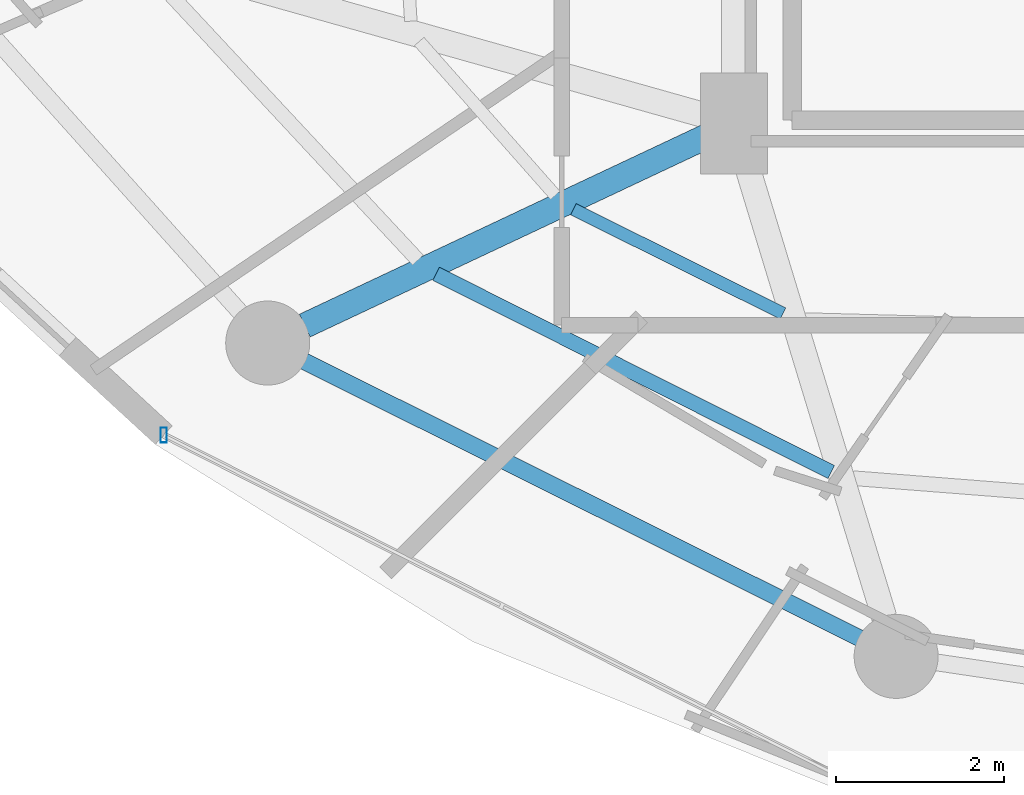
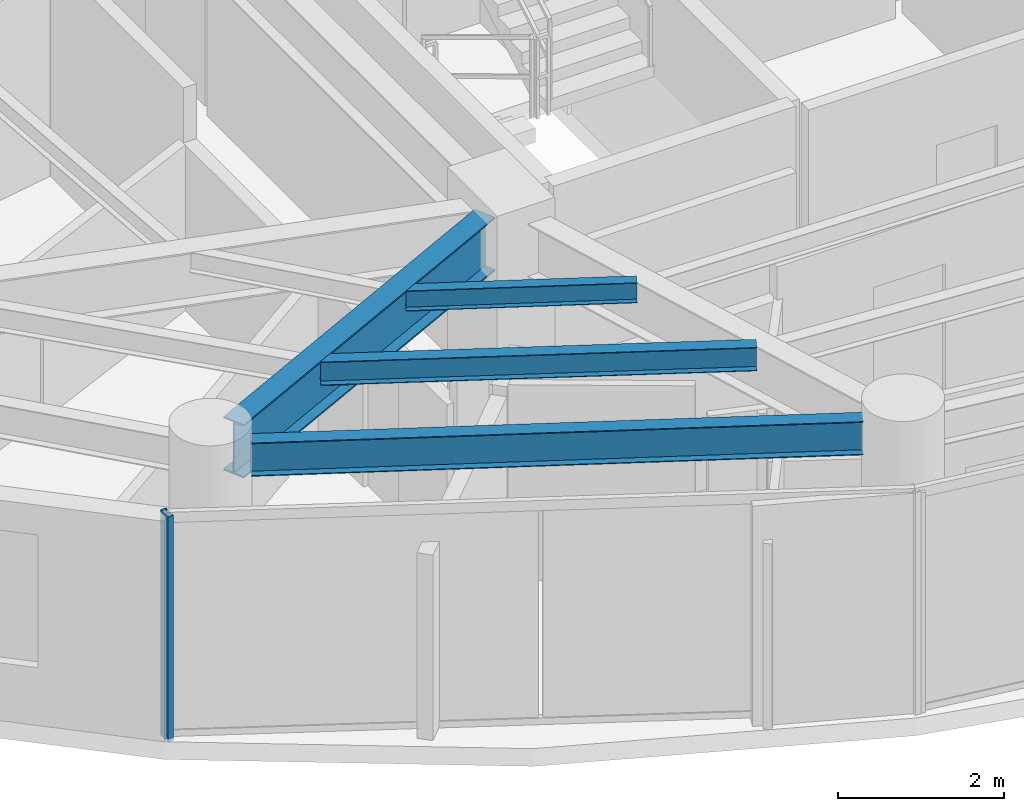
# One storey, part 2 of 31: 4 beams, 1 member, 1 element without a shape of its own.
"""IFC4 building model written with IfcOpenShell, lengths in metres."""

import ifcopenshell
import ifcopenshell.guid

model = None  # the IFC model being written
_history = None  # IfcOwnerHistory: only IFC2X3 demands one
_inside = {}  # id of a spatial element -> (the spatial element, [elements in it])
_under = {}  # id of a project, library or spatial element -> (it, [spatial elements below it])
_declared = {}  # id of a project -> (the project, [libraries it declares])
_typed = {}  # id of a type object -> (the type object, [elements of that type])
_made_of = {}  # id of a material, layer set ... -> (it, [elements and type objects made of it])


def new_model(schema):
    """Start an empty IFC model of exactly this schema.

    Asked for "IFC4X3", IfcOpenShell would pick the latest addendum, in which some entities
    have other attributes; the version numbers below select the first issue.
    IFC2X3 requires an IfcOwnerHistory on every rooted entity: one is made here for all.
    """
    global model, _history
    if schema == "IFC4X3":
        model = ifcopenshell.file(schema_version=(4, 3, 0, 0))
    else:
        model = ifcopenshell.file(schema=schema)
    _inside.clear()
    _under.clear()
    _declared.clear()
    _typed.clear()
    _made_of.clear()
    _history = None
    if model.schema == "IFC2X3":
        org = make("IfcOrganization", Name="unknown")
        user = make(
            "IfcPersonAndOrganization",
            ThePerson=make("IfcPerson", FamilyName="unknown"),
            TheOrganization=org,
        )
        app = make(
            "IfcApplication",
            ApplicationDeveloper=org,
            Version="unknown",
            ApplicationFullName="unknown",
            ApplicationIdentifier="unknown",
        )
        _history = make(
            "IfcOwnerHistory",
            OwningUser=user,
            OwningApplication=app,
            ChangeAction="ADDED",
            CreationDate=0,
        )
    return model


def make(cls, **values):
    """One entity of the class cls with the attributes given. An attribute that is None is left unset."""
    return model.create_entity(
        cls, **{name: value for name, value in values.items() if value is not None}
    )


def rooted(cls, **values):
    """An entity with a GlobalId (a new one), such as an element, a storey or a relation."""
    return make(cls, GlobalId=ifcopenshell.guid.new(), OwnerHistory=_history, **values)


def si_unit(unit_type, name, prefix=None):
    """IfcSIUnit, for example si_unit("LENGTHUNIT", "METRE", prefix="MILLI")."""
    return make("IfcSIUnit", UnitType=unit_type, Prefix=prefix, Name=name)


def assignment(units):
    """IfcUnitAssignment: the units of a project."""
    return None if units is None else make("IfcUnitAssignment", Units=units)


def point(xyz):
    """IfcCartesianPoint."""
    return None if xyz is None else make("IfcCartesianPoint", Coordinates=xyz)


def direction(xyz):
    """IfcDirection."""
    return None if xyz is None else make("IfcDirection", DirectionRatios=xyz)


def frame(location, z_axis=None, x_axis=None):
    """IfcAxis2Placement3D, a coordinate frame: its origin and axes. An axis left out is left unset."""
    return make(
        "IfcAxis2Placement3D",
        Location=point(location),
        Axis=direction(z_axis),
        RefDirection=direction(x_axis),
    )


def frame_2d(location, x_axis=None):
    """IfcAxis2Placement2D, a coordinate frame in the plane: its origin and x axis."""
    return make(
        "IfcAxis2Placement2D", Location=point(location), RefDirection=direction(x_axis)
    )


def origin():
    """The frame at (0, 0, 0) with its axes left unset."""
    return frame((0.0, 0.0, 0.0))


def origin_2d():
    """The frame at (0, 0) in the plane with its x axis left unset."""
    return frame_2d((0.0, 0.0))


def place(relative_to, where):
    """IfcLocalPlacement: puts the frame where relative to a parent placement (None: the world)."""
    return make(
        "IfcLocalPlacement", PlacementRelTo=relative_to, RelativePlacement=where
    )


def context(
    kind, dimensions, precision=None, world=None, true_north=None, identifier=None
):
    """IfcGeometricRepresentationContext, for example the 3D "Model" context."""
    return make(
        "IfcGeometricRepresentationContext",
        ContextIdentifier=identifier,
        ContextType=kind,
        CoordinateSpaceDimension=dimensions,
        Precision=precision,
        WorldCoordinateSystem=world,
        TrueNorth=true_north,
    )


def subcontext(parent, identifier, kind, view, scale=None):
    """IfcGeometricRepresentationSubContext, for example "Body" below "Model"."""
    return make(
        "IfcGeometricRepresentationSubContext",
        ContextIdentifier=identifier,
        ContextType=kind,
        ParentContext=parent,
        TargetScale=scale,
        TargetView=view,
    )


def project(units=None, contexts=None):
    """IfcProject with its units and contexts."""
    return rooted(
        "IfcProject",
        Name="project",
        RepresentationContexts=contexts,
        UnitsInContext=assignment(units),
    )


def spatial(cls, under=None, at=None, **own):
    """A site, building, storey or space (cls), placed at a placement, below another one or the project."""
    s = rooted(cls, ObjectPlacement=at, **own)
    if under is not None:
        _under.setdefault(under.id(), (under, []))[1].append(s)
    return s


def profile(cls, at=None, kind="AREA", **sizes):
    """A parametric profile (cls). Its sizes go by their IFC names, for example OverallWidth=200.0."""
    return make(cls, ProfileType=kind, Position=at, **sizes)


def hollow_rectangle(**sizes):
    """IfcRectangleHollowProfileDef."""
    return profile("IfcRectangleHollowProfileDef", **sizes)


def i_section(**sizes):
    """IfcIShapeProfileDef."""
    return profile("IfcIShapeProfileDef", **sizes)


def extrude(swept, where, along, depth):
    """IfcExtrudedAreaSolid: the profile swept, set in the frame where, extruded along a direction by depth."""
    return make(
        "IfcExtrudedAreaSolid",
        SweptArea=swept,
        Position=where,
        ExtrudedDirection=direction(along),
        Depth=depth,
    )


def shape(context_of_items, identifier, shape_type, items):
    """IfcShapeRepresentation: the items that make up one representation, for example the "Body"."""
    return make(
        "IfcShapeRepresentation",
        ContextOfItems=context_of_items,
        RepresentationIdentifier=identifier,
        RepresentationType=shape_type,
        Items=items,
    )


def material(Name=None, Category=None):
    """IfcMaterial."""
    return make("IfcMaterial", Name=Name, Category=Category)


def material_profile(
    of_material, cross_section, Name=None, Category=None, Priority=None
):
    """IfcMaterialProfile: a cross section and its material."""
    return make(
        "IfcMaterialProfile",
        Name=Name,
        Material=of_material,
        Profile=cross_section,
        Priority=Priority,
        Category=Category,
    )


def profile_set(profiles, Name=None, composite=None):
    """IfcMaterialProfileSet."""
    return make(
        "IfcMaterialProfileSet",
        Name=Name,
        MaterialProfiles=profiles,
        CompositeProfile=composite,
    )


def made_of(thing, what):
    """Note that an element or type object is made of a material, layer set ...; save() writes the relation."""
    if what is not None:
        _made_of.setdefault(what.id(), (what, []))[1].append(thing)
    return thing


def type_object(cls, material=None, **own):
    """A type object (cls), such as IfcWallType, which elements share."""
    return made_of(rooted(cls, **own), material)


def element(
    cls,
    number,
    at=None,
    inside=None,
    cuts=None,
    type_object=None,
    material=None,
    context=None,
    identifier="Body",
    shape_type=None,
    held_by="IfcProductDefinitionShape",
    body=None,
    shapes=None,
    **own,
):
    """One element of the class cls, such as IfcWall. Its Tag is "e" and its number.

    at: its placement. inside: the storey or other place that contains it. cuts: it is an
    opening in that element (IfcRelVoidsElement). A single representation is given by context,
    identifier, shape_type and body (its items); several are given by shapes. held_by: the class
    of the entity that holds the representations. save() writes the other relations.
    """
    e = rooted(cls, Tag="e%d" % number, ObjectPlacement=at, **own)
    if body is not None:
        shapes = [shape(context, identifier, shape_type, body)]
    if shapes is not None:
        e.Representation = make(held_by, Representations=shapes)
    if inside is not None:
        _inside.setdefault(inside.id(), (inside, []))[1].append(e)
    if cuts is not None:
        rooted(
            "IfcRelVoidsElement", RelatingBuildingElement=cuts, RelatedOpeningElement=e
        )
    if type_object is not None:
        _typed.setdefault(type_object.id(), (type_object, []))[1].append(e)
    return made_of(e, material)


def aggregate(whole, parts):
    """IfcRelAggregates: a whole, such as a stair, and the parts it consists of."""
    return rooted("IfcRelAggregates", RelatingObject=whole, RelatedObjects=parts)


def save(model, path):
    """Write the relations noted so far, then the file.

    IfcRelAggregates (storeys below a building ...), IfcRelContainedInSpatialStructure (elements
    in a storey), IfcRelDefinesByType, IfcRelAssociatesMaterial and IfcRelDeclares: one each for
    every whole, place, type object, material and project.
    """
    for whole, parts in _under.values():
        aggregate(whole, parts)
    for where, things in _inside.values():
        rooted(
            "IfcRelContainedInSpatialStructure",
            RelatedElements=things,
            RelatingStructure=where,
        )
    for kind, things in _typed.values():
        rooted("IfcRelDefinesByType", RelatedObjects=things, RelatingType=kind)
    for what, things in _made_of.values():
        rooted("IfcRelAssociatesMaterial", RelatedObjects=things, RelatingMaterial=what)
    for by, libraries in _declared.values():
        rooted("IfcRelDeclares", RelatingContext=by, RelatedDefinitions=libraries)
    model.write(path)


model = new_model("IFC4")

# Units and contexts
model_context = context("Model", 3, precision=1e-05, world=origin(), true_north=direction((0.0, 1.0)))
body_context = subcontext(model_context, "Body", "Model", "MODEL_VIEW")
ifc_project = project(units=[si_unit("LENGTHUNIT", "METRE"), si_unit("AREAUNIT", "SQUARE_METRE"), si_unit("VOLUMEUNIT", "CUBIC_METRE"), si_unit("PLANEANGLEUNIT", "RADIAN"), si_unit("MASSUNIT", "GRAM", prefix="KILO")], contexts=[model_context])

# Site, building, storey
site_placement = place(None, origin())
site = spatial("IfcSite", under=ifc_project, at=site_placement, CompositionType="ELEMENT")
building_placement = place(site_placement, origin())
building = spatial("IfcBuilding", under=site, at=building_placement, Name="Vorneva Point Tower", CompositionType="ELEMENT")
storey_placement = place(building_placement, frame((0.0, 0.0, 136.10009765625)))
storey = spatial("IfcBuildingStorey", under=building, at=storey_placement, Name="L36", CompositionType="ELEMENT", Elevation=136.10009765625)

# Beams
ifc_material_1 = material(Name="Steel S355", Category="steel")
ifc_material_profile_1 = material_profile(ifc_material_1, i_section(OverallWidth=0.300048828125, OverallDepth=0.7880859375, WebThickness=0.014404296875, FlangeThickness=0.02197265625, at=origin_2d()), Name="80Sh1")
ifc_profile_set_1 = profile_set([ifc_material_profile_1], Name="Steel S355")
beam_type_1 = type_object("IfcBeamType", Name="BM-GRD-80Sh1", PredefinedType="USERDEFINED", material=ifc_profile_set_1)
beam_1_placement = place(storey_placement, frame((22.142578125, 14.045654296875, 2.845947265625), z_axis=(0.904761331435, 0.425918927896, 0.0), x_axis=(-0.425918927896, 0.904761331435, 0.0)))
element("IfcBeam", 1, at=beam_1_placement, inside=storey, type_object=beam_type_1, Name="L36 Radial Primary Girder 11", ObjectType="GIRDER", PredefinedType="USERDEFINED", context=body_context, shape_type="SweptSolid", body=[
    extrude(i_section(OverallWidth=0.300048828125, OverallDepth=0.7880859375, WebThickness=0.014404296875, FlangeThickness=0.02197265625, at=origin_2d()), origin(), (0.0, 0.0, 1.0), 5.304931640625),
])
ifc_material_profile_2 = material_profile(ifc_material_1, i_section(OverallWidth=0.14892578125, OverallDepth=0.298095703125, WebThickness=0.005615234375, FlangeThickness=0.008056640625, at=origin_2d()), Name="30B1")
ifc_profile_set_2 = profile_set([ifc_material_profile_2], Name="Steel S355")
beam_type_2 = type_object("IfcBeamType", Name="BM-JST-30B1", PredefinedType="JOIST", material=ifc_profile_set_2)
beam_2_placement = place(storey_placement, frame((25.338134765625, 15.430419921875, 3.0908203125), z_axis=(0.895266564534, -0.445530895031, 0.0), x_axis=(0.445530895031, 0.895266564534, 0.0)))
element("IfcBeam", 2, at=beam_2_placement, inside=storey, type_object=beam_type_2, Name="L36 Secondary Floor Beam 2.11", PredefinedType="JOIST", context=body_context, shape_type="SweptSolid", body=[
    extrude(i_section(OverallWidth=0.14892578125, OverallDepth=0.298095703125, WebThickness=0.005615234375, FlangeThickness=0.008056640625, at=origin_2d()), origin(), (0.0, 0.0, 1.0), 2.787109375),
])
ifc_material_profile_3 = material_profile(ifc_material_1, i_section(OverallWidth=0.174072265625, OverallDepth=0.345947265625, WebThickness=0.006103515625, FlangeThickness=0.009033203125, at=origin_2d()), Name="35B1")
ifc_profile_set_3 = profile_set([ifc_material_profile_3], Name="Steel S355")
beam_type_3 = type_object("IfcBeamType", Name="BM-SEC-35B1", PredefinedType="BEAM", material=ifc_profile_set_3)
beam_3_placement = place(storey_placement, frame((23.7060546875, 14.66162109375, 3.06689453125), z_axis=(0.893776430112, -0.44851275676, 0.0), x_axis=(0.44851275676, 0.893776430112, 0.0)))
element("IfcBeam", 3, at=beam_3_placement, inside=storey, type_object=beam_type_3, Name="L36 Secondary Floor Beam 1.11", PredefinedType="BEAM", context=body_context, shape_type="SweptSolid", body=[
    extrude(i_section(OverallWidth=0.174072265625, OverallDepth=0.345947265625, WebThickness=0.006103515625, FlangeThickness=0.009033203125, at=origin_2d()), origin(), (0.0, 0.0, 1.0), 5.260009765625),
])
ifc_material_profile_4 = material_profile(ifc_material_1, i_section(OverallWidth=0.199951171875, OverallDepth=0.491943359375, WebThickness=0.0087890625, FlangeThickness=0.011962890625, at=origin_2d()), Name="50B1")
ifc_profile_set_4 = profile_set([ifc_material_profile_4], Name="Steel S355")
beam_type_4 = type_object("IfcBeamType", Name="BM-SPN-50B1", PredefinedType="SPANDREL", material=ifc_profile_set_4)
beam_4_placement = place(storey_placement, frame((22.13525390625, 13.621337890625, 2.993896484375), z_axis=(0.894929061397, -0.446208443518, 0.0), x_axis=(0.446208443518, 0.894929061397, 0.0)))
element("IfcBeam", 4, at=beam_4_placement, inside=storey, type_object=beam_type_4, Name="L36 Perimeter Spandrel Ring Beam 11", PredefinedType="SPANDREL", context=body_context, shape_type="SweptSolid", body=[
    extrude(i_section(OverallWidth=0.199951171875, OverallDepth=0.491943359375, WebThickness=0.0087890625, FlangeThickness=0.011962890625, at=origin_2d()), origin(), (0.0, 0.0, 1.0), 7.385986328125),
])

# Curtain wall, member
ifc_material_2 = material(Name="Pale anodised aluminium", Category="aluminium")
curtain_wall_type = type_object("IfcCurtainWallType", Name="CW-RES-SYS", PredefinedType="NOTDEFINED", material=ifc_material_2)
curtain_wall_placement = place(storey_placement, origin())
curtain_wall = element("IfcCurtainWall", 5, at=curtain_wall_placement, inside=storey, type_object=curtain_wall_type, Name="L36 Unitised Curtain Wall CW-L36-R04", PredefinedType="NOTDEFINED")
ifc_material_profile_5 = material_profile(ifc_material_2, hollow_rectangle(XDim=0.074951171875, YDim=0.179931640625, WallThickness=0.00390625, at=origin_2d()), Name="AL-MUL 180x75x4")
ifc_profile_set_5 = profile_set([ifc_material_profile_5], Name="Pale anodised aluminium")
member_type = type_object("IfcMemberType", Name="CW-MUL-180", PredefinedType="MULLION", material=ifc_profile_set_5)
member_placement = place(storey_placement, frame((20.4638671875, 12.74169921875, -0.0400390625), z_axis=(0.0, 0.0, 1.0), x_axis=(1.0, 0.0, 0.0)))
member = element("IfcMember", 6, at=member_placement, type_object=member_type, Name="CW-L36-R04 Mullion 01", PredefinedType="MULLION", context=body_context, shape_type="SweptSolid", body=[
    extrude(hollow_rectangle(XDim=0.074951171875, YDim=0.179931640625, WallThickness=0.00390625, at=origin_2d()), origin(), (0.0, 0.0, 1.0), 3.31005859375),
])
aggregate(curtain_wall, [member])

save(model, "model.ifc")
